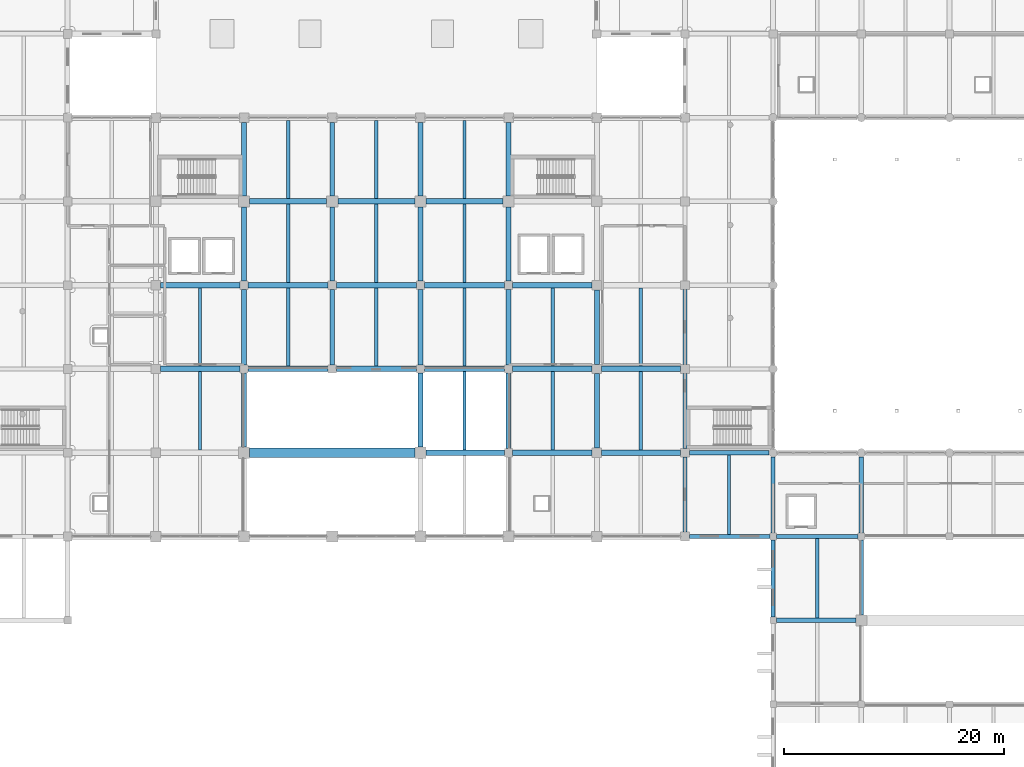
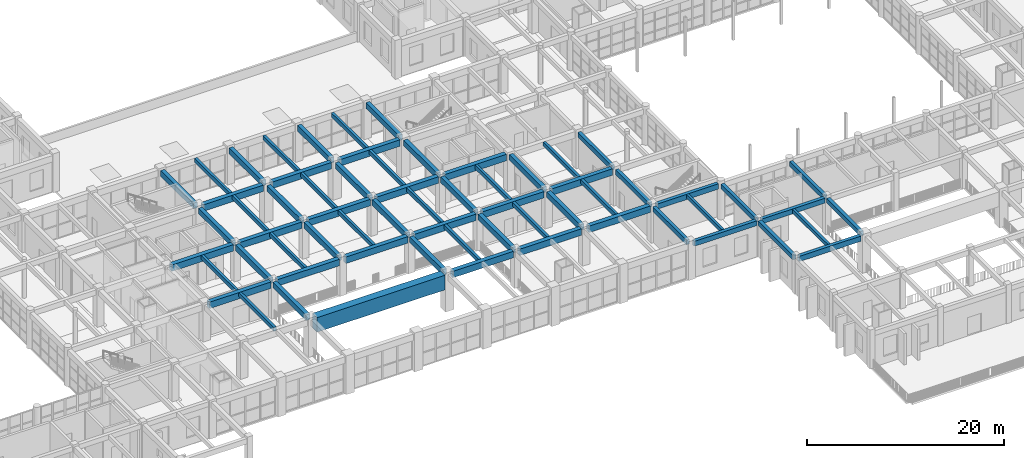
# One storey, part 26 of 101: 64 beams.
"""IFC4 building model written with IfcOpenShell, lengths in metres."""

from ifc_helpers import new_model, si_unit, direction, frame, origin, origin_2d, place, context, subcontext, project, spatial, rectangle, extrude, material, material_profile, profile_set, type_object, element, save


model = new_model("IFC4")

# Units and contexts
model_context = context("Model", 3, precision=1e-05, world=origin(), true_north=direction((0.0, 1.0)))
body_context = subcontext(model_context, "Body", "Model", "MODEL_VIEW")
ifc_project = project(units=[si_unit("LENGTHUNIT", "METRE"), si_unit("AREAUNIT", "SQUARE_METRE"), si_unit("VOLUMEUNIT", "CUBIC_METRE"), si_unit("PLANEANGLEUNIT", "RADIAN"), si_unit("MASSUNIT", "GRAM", prefix="KILO")], contexts=[model_context])

# Site, building, storey
site_placement = place(None, origin())
site = spatial("IfcSite", under=ifc_project, at=site_placement, CompositionType="ELEMENT")
building_placement = place(site_placement, origin())
building = spatial("IfcBuilding", under=site, at=building_placement, Name="Zantavel Square City Hall", CompositionType="ELEMENT")
storey_placement = place(building_placement, frame((0.0, 0.0, 5.39990234375)))
storey = spatial("IfcBuildingStorey", under=building, at=storey_placement, Name="L02", CompositionType="ELEMENT", Elevation=5.39990234375)

# Beams
ifc_material_1 = material(Name="Concrete C35/45", Category="concrete")
ifc_material_profile_1 = material_profile(ifc_material_1, rectangle(XDim=0.3798828125, YDim=0.580078125, at=origin_2d()), Name="RC 380x580")
ifc_profile_set_1 = profile_set([ifc_material_profile_1], Name="Concrete C35/45")
beam_type_1 = type_object("IfcBeamType", Name="Annex Secondary Beam RC 380x580 C35/45", PredefinedType="BEAM", material=ifc_profile_set_1)
for number, where, z_axis, x_axis, name in (
    (1, (112.0, 30.800048828125, 4.16015625), (0.0, 1.0, 0.0), (-1.0, 0.0, 0.0), "L02 Beam BMY-L02-1120-0304"),
    (2, (112.0, 38.39990234375, 4.16015625), (0.0, 1.0, 0.0), (-1.0, 0.0, 0.0), "L02 Beam BMY-L02-1120-0380"),
    (3, (112.0, 46.0, 4.16015625), (0.0, 1.0, 0.0), (-1.0, 0.0, 0.0), "L02 Beam BMY-L02-1120-0456"),
):
    element("IfcBeam", number, at=place(storey_placement, frame(where, z_axis=z_axis, x_axis=x_axis)), inside=storey, type_object=beam_type_1, Name=name, PredefinedType="BEAM", context=body_context, shape_type="SweptSolid", body=[
        extrude(rectangle(XDim=0.3798828125, YDim=0.580078125, at=origin_2d()), origin(), (0.0, 0.0, 1.0), 6.800048828125),
    ])
beam_1_placement = place(storey_placement, frame((120.0, 23.10009765625, 4.16015625), z_axis=(0.0, 1.0, 0.0), x_axis=(-1.0, 0.0, 0.0)))
element("IfcBeam", 4, at=beam_1_placement, inside=storey, type_object=beam_type_1, Name="L02 Beam BMY-L02-1200-0228", PredefinedType="BEAM", context=body_context, shape_type="SweptSolid", body=[
    extrude(rectangle(XDim=0.3798828125, YDim=0.580078125, at=origin_2d()), origin(), (0.0, 0.0, 1.0), 7.0),
])
beam_2_placement = place(storey_placement, frame((120.0, 30.699951171875, 4.16015625), z_axis=(0.0, 1.0, 0.0), x_axis=(-1.0, 0.0, 0.0)))
element("IfcBeam", 5, at=beam_2_placement, inside=storey, type_object=beam_type_1, Name="L02 Beam BMY-L02-1200-0304", PredefinedType="BEAM", context=body_context, shape_type="SweptSolid", body=[
    extrude(rectangle(XDim=0.3798828125, YDim=0.580078125, at=origin_2d()), origin(), (0.0, 0.0, 1.0), 6.925048828125),
])
beam_3_placement = place(storey_placement, frame((128.0, 23.300048828125, 4.16015625), z_axis=(0.0, 1.0, 0.0), x_axis=(-1.0, 0.0, 0.0)))
element("IfcBeam", 6, at=beam_3_placement, inside=storey, type_object=beam_type_1, Name="L02 Beam BMY-L02-1280-0228", PredefinedType="BEAM", context=body_context, shape_type="SweptSolid", body=[
    extrude(rectangle(XDim=0.3798828125, YDim=0.580078125, at=origin_2d()), origin(), (0.0, 0.0, 1.0), 6.800048828125),
])
beam_4_placement = place(storey_placement, frame((128.0, 30.699951171875, 4.16015625), z_axis=(0.0, 1.0, 0.0), x_axis=(-1.0, 0.0, 0.0)))
element("IfcBeam", 7, at=beam_4_placement, inside=storey, type_object=beam_type_1, Name="L02 Beam BMY-L02-1280-0304", PredefinedType="BEAM", context=body_context, shape_type="SweptSolid", body=[
    extrude(rectangle(XDim=0.3798828125, YDim=0.580078125, at=origin_2d()), origin(), (0.0, 0.0, 1.0), 6.925048828125),
])
ifc_material_profile_2 = material_profile(ifc_material_1, rectangle(XDim=0.300048828125, YDim=0.5, at=origin_2d()), Name="RC 300x500")
ifc_profile_set_2 = profile_set([ifc_material_profile_2], Name="Concrete C35/45")
beam_type_2 = type_object("IfcBeamType", Name="Floor Joist RC 300x500 C35/45", PredefinedType="JOIST", material=ifc_profile_set_2)
beam_5_placement = place(storey_placement, frame((68.0, 38.25, 4.2900390625), z_axis=(0.0, 1.0, 0.0), x_axis=(-1.0, 0.0, 0.0)))
element("IfcBeam", 8, at=beam_5_placement, inside=storey, type_object=beam_type_2, Name="L02 Floor Joist JST-L02-0680-0380", PredefinedType="JOIST", context=body_context, shape_type="SweptSolid", body=[
    extrude(rectangle(XDim=0.300048828125, YDim=0.5, at=origin_2d()), origin(), (0.0, 0.0, 1.0), 7.10009765625),
])
for number, where, z_axis, x_axis, name in (
    (9, (68.0, 45.85009765625, 4.2900390625), (0.0, 1.0, 0.0), (-1.0, 0.0, 0.0), "L02 Floor Joist JST-L02-0680-0456"),
    (10, (76.0, 45.85009765625, 4.2900390625), (0.0, 1.0, 0.0), (-1.0, 0.0, 0.0), "L02 Floor Joist JST-L02-0760-0456"),
):
    element("IfcBeam", number, at=place(storey_placement, frame(where, z_axis=z_axis, x_axis=x_axis)), inside=storey, type_object=beam_type_2, Name=name, PredefinedType="JOIST", context=body_context, shape_type="SweptSolid", body=[
        extrude(rectangle(XDim=0.300048828125, YDim=0.5, at=origin_2d()), origin(), (0.0, 0.0, 1.0), 7.099853515625),
    ])
beam_6_placement = place(storey_placement, frame((76.0, 53.449951171875, 4.2900390625), z_axis=(0.0, 1.0, 0.0), x_axis=(-1.0, 0.0, 0.0)))
element("IfcBeam", 11, at=beam_6_placement, inside=storey, type_object=beam_type_2, Name="L02 Floor Joist JST-L02-0760-0532", PredefinedType="JOIST", context=body_context, shape_type="SweptSolid", body=[
    extrude(rectangle(XDim=0.300048828125, YDim=0.5, at=origin_2d()), origin(), (0.0, 0.0, 1.0), 7.10009765625),
])
for number, where, z_axis, x_axis, name in (
    (12, (76.0, 61.050048828125, 4.2900390625), (0.0, 1.0, 0.0), (-1.0, 0.0, 0.0), "L02 Floor Joist JST-L02-0760-0608"),
    (13, (84.0, 45.85009765625, 4.2900390625), (0.0, 1.0, 0.0), (-1.0, 0.0, 0.0), "L02 Floor Joist JST-L02-0840-0456"),
):
    element("IfcBeam", number, at=place(storey_placement, frame(where, z_axis=z_axis, x_axis=x_axis)), inside=storey, type_object=beam_type_2, Name=name, PredefinedType="JOIST", context=body_context, shape_type="SweptSolid", body=[
        extrude(rectangle(XDim=0.300048828125, YDim=0.5, at=origin_2d()), origin(), (0.0, 0.0, 1.0), 7.099853515625),
    ])
beam_7_placement = place(storey_placement, frame((84.0, 53.449951171875, 4.2900390625), z_axis=(0.0, 1.0, 0.0), x_axis=(-1.0, 0.0, 0.0)))
element("IfcBeam", 14, at=beam_7_placement, inside=storey, type_object=beam_type_2, Name="L02 Floor Joist JST-L02-0840-0532", PredefinedType="JOIST", context=body_context, shape_type="SweptSolid", body=[
    extrude(rectangle(XDim=0.300048828125, YDim=0.5, at=origin_2d()), origin(), (0.0, 0.0, 1.0), 7.10009765625),
])
beam_8_placement = place(storey_placement, frame((84.0, 61.050048828125, 4.2900390625), z_axis=(0.0, 1.0, 0.0), x_axis=(-1.0, 0.0, 0.0)))
element("IfcBeam", 15, at=beam_8_placement, inside=storey, type_object=beam_type_2, Name="L02 Floor Joist JST-L02-0840-0608", PredefinedType="JOIST", context=body_context, shape_type="SweptSolid", body=[
    extrude(rectangle(XDim=0.300048828125, YDim=0.5, at=origin_2d()), origin(), (0.0, 0.0, 1.0), 7.099853515625),
])
beam_9_placement = place(storey_placement, frame((92.0, 38.25, 4.2900390625), z_axis=(0.0, 1.0, 0.0), x_axis=(-1.0, 0.0, 0.0)))
element("IfcBeam", 16, at=beam_9_placement, inside=storey, type_object=beam_type_2, Name="L02 Floor Joist JST-L02-0920-0380", PredefinedType="JOIST", context=body_context, shape_type="SweptSolid", body=[
    extrude(rectangle(XDim=0.300048828125, YDim=0.5, at=origin_2d()), origin(), (0.0, 0.0, 1.0), 7.10009765625),
])
beam_10_placement = place(storey_placement, frame((92.0, 45.85009765625, 4.2900390625), z_axis=(0.0, 1.0, 0.0), x_axis=(-1.0, 0.0, 0.0)))
element("IfcBeam", 17, at=beam_10_placement, inside=storey, type_object=beam_type_2, Name="L02 Floor Joist JST-L02-0920-0456", PredefinedType="JOIST", context=body_context, shape_type="SweptSolid", body=[
    extrude(rectangle(XDim=0.300048828125, YDim=0.5, at=origin_2d()), origin(), (0.0, 0.0, 1.0), 7.099853515625),
])
beam_11_placement = place(storey_placement, frame((92.0, 53.449951171875, 4.2900390625), z_axis=(0.0, 1.0, 0.0), x_axis=(-1.0, 0.0, 0.0)))
element("IfcBeam", 18, at=beam_11_placement, inside=storey, type_object=beam_type_2, Name="L02 Floor Joist JST-L02-0920-0532", PredefinedType="JOIST", context=body_context, shape_type="SweptSolid", body=[
    extrude(rectangle(XDim=0.300048828125, YDim=0.5, at=origin_2d()), origin(), (0.0, 0.0, 1.0), 7.10009765625),
])
beam_12_placement = place(storey_placement, frame((92.0, 61.050048828125, 4.2900390625), z_axis=(0.0, 1.0, 0.0), x_axis=(-1.0, 0.0, 0.0)))
element("IfcBeam", 19, at=beam_12_placement, inside=storey, type_object=beam_type_2, Name="L02 Floor Joist JST-L02-0920-0608", PredefinedType="JOIST", context=body_context, shape_type="SweptSolid", body=[
    extrude(rectangle(XDim=0.300048828125, YDim=0.5, at=origin_2d()), origin(), (0.0, 0.0, 1.0), 7.099853515625),
])
beam_13_placement = place(storey_placement, frame((100.0, 38.25, 4.2900390625), z_axis=(0.0, 1.0, 0.0), x_axis=(-1.0, 0.0, 0.0)))
element("IfcBeam", 20, at=beam_13_placement, inside=storey, type_object=beam_type_2, Name="L02 Floor Joist JST-L02-1000-0380", PredefinedType="JOIST", context=body_context, shape_type="SweptSolid", body=[
    extrude(rectangle(XDim=0.300048828125, YDim=0.5, at=origin_2d()), origin(), (0.0, 0.0, 1.0), 7.10009765625),
])
beam_14_placement = place(storey_placement, frame((100.0, 45.85009765625, 4.2900390625), z_axis=(0.0, 1.0, 0.0), x_axis=(-1.0, 0.0, 0.0)))
element("IfcBeam", 21, at=beam_14_placement, inside=storey, type_object=beam_type_2, Name="L02 Floor Joist JST-L02-1000-0456", PredefinedType="JOIST", context=body_context, shape_type="SweptSolid", body=[
    extrude(rectangle(XDim=0.300048828125, YDim=0.5, at=origin_2d()), origin(), (0.0, 0.0, 1.0), 7.099853515625),
])
beam_15_placement = place(storey_placement, frame((108.0, 38.25, 4.2900390625), z_axis=(0.0, 1.0, 0.0), x_axis=(-1.0, 0.0, 0.0)))
element("IfcBeam", 22, at=beam_15_placement, inside=storey, type_object=beam_type_2, Name="L02 Floor Joist JST-L02-1080-0380", PredefinedType="JOIST", context=body_context, shape_type="SweptSolid", body=[
    extrude(rectangle(XDim=0.300048828125, YDim=0.5, at=origin_2d()), origin(), (0.0, 0.0, 1.0), 7.10009765625),
])
beam_16_placement = place(storey_placement, frame((108.0, 45.85009765625, 4.2900390625), z_axis=(0.0, 1.0, 0.0), x_axis=(-1.0, 0.0, 0.0)))
element("IfcBeam", 23, at=beam_16_placement, inside=storey, type_object=beam_type_2, Name="L02 Floor Joist JST-L02-1080-0456", PredefinedType="JOIST", context=body_context, shape_type="SweptSolid", body=[
    extrude(rectangle(XDim=0.300048828125, YDim=0.5, at=origin_2d()), origin(), (0.0, 0.0, 1.0), 7.099853515625),
])
ifc_material_profile_3 = material_profile(ifc_material_1, rectangle(XDim=0.39990234375, YDim=0.64990234375, at=origin_2d()), Name="RC 400x650")
ifc_profile_set_3 = profile_set([ifc_material_profile_3], Name="Concrete C35/45")
beam_type_3 = type_object("IfcBeamType", Name="Frame Beam RC 400x650 C35/45", PredefinedType="BEAM", material=ifc_profile_set_3)
beam_17_placement = place(storey_placement, frame((112.39990234375, 38.0, 4.125), z_axis=(1.0, 0.0, 0.0), x_axis=(0.0, 1.0, 0.0)))
element("IfcBeam", 24, at=beam_17_placement, inside=storey, type_object=beam_type_3, Name="L02 Girder BMX-L02-1120-0380", PredefinedType="BEAM", context=body_context, shape_type="SweptSolid", body=[
    extrude(rectangle(XDim=0.39990234375, YDim=0.64990234375, at=origin_2d()), origin(), (0.0, 0.0, 1.0), 7.22509765625),
])
beam_18_placement = place(storey_placement, frame((120.300048828125, 22.800048828125, 4.125), z_axis=(1.0, 0.0, 0.0), x_axis=(0.0, 1.0, 0.0)))
element("IfcBeam", 25, at=beam_18_placement, inside=storey, type_object=beam_type_3, Name="L02 Girder BMX-L02-1200-0228", PredefinedType="BEAM", context=body_context, shape_type="SweptSolid", body=[
    extrude(rectangle(XDim=0.39990234375, YDim=0.64990234375, at=origin_2d()), origin(), (0.0, 0.0, 1.0), 7.199951171875),
])
ifc_material_profile_4 = material_profile(ifc_material_1, rectangle(XDim=0.39990234375, YDim=0.60009765625, at=origin_2d()), Name="RC 400x600")
ifc_profile_set_4 = profile_set([ifc_material_profile_4], Name="Concrete C35/45")
beam_type_4 = type_object("IfcBeamType", Name="Perimeter Spandrel RC 400x600 C35/45", PredefinedType="SPANDREL", material=ifc_profile_set_4)
beam_19_placement = place(storey_placement, frame((112.39990234375, 30.39990234375, 4.150146484375), z_axis=(1.0, 0.0, 0.0), x_axis=(0.0, 1.0, 0.0)))
element("IfcBeam", 26, at=beam_19_placement, inside=storey, type_object=beam_type_4, Name="L02 Girder BMX-L02-1120-0304", PredefinedType="SPANDREL", context=body_context, shape_type="SweptSolid", body=[
    extrude(rectangle(XDim=0.39990234375, YDim=0.60009765625, at=origin_2d()), origin(), (0.0, 0.0, 1.0), 7.300048828125),
])
beam_20_placement = place(storey_placement, frame((120.300048828125, 30.39990234375, 4.150146484375), z_axis=(1.0, 0.0, 0.0), x_axis=(0.0, 1.0, 0.0)))
element("IfcBeam", 27, at=beam_20_placement, inside=storey, type_object=beam_type_4, Name="L02 Girder BMX-L02-1200-0304", PredefinedType="SPANDREL", context=body_context, shape_type="SweptSolid", body=[
    extrude(rectangle(XDim=0.39990234375, YDim=0.60009765625, at=origin_2d()), origin(), (0.0, 0.0, 1.0), 7.39990234375),
])
ifc_material_profile_5 = material_profile(ifc_material_1, rectangle(XDim=0.449951171875, YDim=0.699951171875, at=origin_2d()), Name="RC 450x700")
ifc_profile_set_5 = profile_set([ifc_material_profile_5], Name="Concrete C35/45")
beam_type_5 = type_object("IfcBeamType", Name="Primary Girder RC 450x700 C35/45", PredefinedType="BEAM", material=ifc_profile_set_5)
beam_21_placement = place(storey_placement, frame((72.0, 38.5, 4.190185546875), z_axis=(0.0, 1.0, 0.0), x_axis=(-1.0, 0.0, 0.0)))
element("IfcBeam", 28, at=beam_21_placement, inside=storey, type_object=beam_type_5, Name="L02 Beam BMY-L02-0720-0380", PredefinedType="BEAM", context=body_context, shape_type="SweptSolid", body=[
    extrude(rectangle(XDim=0.449951171875, YDim=0.699951171875, at=origin_2d()), origin(), (0.0, 0.0, 1.0), 6.72509765625),
])
beam_22_placement = place(storey_placement, frame((72.0, 45.97509765625, 4.190185546875), z_axis=(0.0, 1.0, 0.0), x_axis=(-1.0, 0.0, 0.0)))
element("IfcBeam", 29, at=beam_22_placement, inside=storey, type_object=beam_type_5, Name="L02 Beam BMY-L02-0720-0456", PredefinedType="BEAM", context=body_context, shape_type="SweptSolid", body=[
    extrude(rectangle(XDim=0.449951171875, YDim=0.699951171875, at=origin_2d()), origin(), (0.0, 0.0, 1.0), 6.849853515625),
])
beam_23_placement = place(storey_placement, frame((72.0, 53.574951171875, 4.190185546875), z_axis=(0.0, 1.0, 0.0), x_axis=(-1.0, 0.0, 0.0)))
element("IfcBeam", 30, at=beam_23_placement, inside=storey, type_object=beam_type_5, Name="L02 Beam BMY-L02-0720-0532", PredefinedType="BEAM", context=body_context, shape_type="SweptSolid", body=[
    extrude(rectangle(XDim=0.449951171875, YDim=0.699951171875, at=origin_2d()), origin(), (0.0, 0.0, 1.0), 6.72509765625),
])
beam_24_placement = place(storey_placement, frame((72.0, 61.300048828125, 4.190185546875), z_axis=(0.0, 1.0, 0.0), x_axis=(-1.0, 0.0, 0.0)))
element("IfcBeam", 31, at=beam_24_placement, inside=storey, type_object=beam_type_5, Name="L02 Beam BMY-L02-0720-0608", PredefinedType="BEAM", context=body_context, shape_type="SweptSolid", body=[
    extrude(rectangle(XDim=0.449951171875, YDim=0.699951171875, at=origin_2d()), origin(), (0.0, 0.0, 1.0), 6.675048828125),
])
beam_25_placement = place(storey_placement, frame((80.0, 45.97509765625, 4.190185546875), z_axis=(0.0, 1.0, 0.0), x_axis=(-1.0, 0.0, 0.0)))
element("IfcBeam", 32, at=beam_25_placement, inside=storey, type_object=beam_type_5, Name="L02 Beam BMY-L02-0800-0456", PredefinedType="BEAM", context=body_context, shape_type="SweptSolid", body=[
    extrude(rectangle(XDim=0.449951171875, YDim=0.699951171875, at=origin_2d()), origin(), (0.0, 0.0, 1.0), 6.849853515625),
])
beam_26_placement = place(storey_placement, frame((80.0, 53.574951171875, 4.190185546875), z_axis=(0.0, 1.0, 0.0), x_axis=(-1.0, 0.0, 0.0)))
element("IfcBeam", 33, at=beam_26_placement, inside=storey, type_object=beam_type_5, Name="L02 Beam BMY-L02-0800-0532", PredefinedType="BEAM", context=body_context, shape_type="SweptSolid", body=[
    extrude(rectangle(XDim=0.449951171875, YDim=0.699951171875, at=origin_2d()), origin(), (0.0, 0.0, 1.0), 6.72509765625),
])
beam_27_placement = place(storey_placement, frame((80.0, 61.300048828125, 4.190185546875), z_axis=(0.0, 1.0, 0.0), x_axis=(-1.0, 0.0, 0.0)))
element("IfcBeam", 34, at=beam_27_placement, inside=storey, type_object=beam_type_5, Name="L02 Beam BMY-L02-0800-0608", PredefinedType="BEAM", context=body_context, shape_type="SweptSolid", body=[
    extrude(rectangle(XDim=0.449951171875, YDim=0.699951171875, at=origin_2d()), origin(), (0.0, 0.0, 1.0), 6.675048828125),
])
beam_28_placement = place(storey_placement, frame((88.0, 38.5, 4.190185546875), z_axis=(0.0, 1.0, 0.0), x_axis=(-1.0, 0.0, 0.0)))
element("IfcBeam", 35, at=beam_28_placement, inside=storey, type_object=beam_type_5, Name="L02 Beam BMY-L02-0880-0380", PredefinedType="BEAM", context=body_context, shape_type="SweptSolid", body=[
    extrude(rectangle(XDim=0.449951171875, YDim=0.699951171875, at=origin_2d()), origin(), (0.0, 0.0, 1.0), 6.72509765625),
])
beam_29_placement = place(storey_placement, frame((88.0, 45.97509765625, 4.190185546875), z_axis=(0.0, 1.0, 0.0), x_axis=(-1.0, 0.0, 0.0)))
element("IfcBeam", 36, at=beam_29_placement, inside=storey, type_object=beam_type_5, Name="L02 Beam BMY-L02-0880-0456", PredefinedType="BEAM", context=body_context, shape_type="SweptSolid", body=[
    extrude(rectangle(XDim=0.449951171875, YDim=0.699951171875, at=origin_2d()), origin(), (0.0, 0.0, 1.0), 6.849853515625),
])
beam_30_placement = place(storey_placement, frame((88.0, 53.574951171875, 4.190185546875), z_axis=(0.0, 1.0, 0.0), x_axis=(-1.0, 0.0, 0.0)))
element("IfcBeam", 37, at=beam_30_placement, inside=storey, type_object=beam_type_5, Name="L02 Beam BMY-L02-0880-0532", PredefinedType="BEAM", context=body_context, shape_type="SweptSolid", body=[
    extrude(rectangle(XDim=0.449951171875, YDim=0.699951171875, at=origin_2d()), origin(), (0.0, 0.0, 1.0), 6.72509765625),
])
beam_31_placement = place(storey_placement, frame((88.0, 61.300048828125, 4.190185546875), z_axis=(0.0, 1.0, 0.0), x_axis=(-1.0, 0.0, 0.0)))
element("IfcBeam", 38, at=beam_31_placement, inside=storey, type_object=beam_type_5, Name="L02 Beam BMY-L02-0880-0608", PredefinedType="BEAM", context=body_context, shape_type="SweptSolid", body=[
    extrude(rectangle(XDim=0.449951171875, YDim=0.699951171875, at=origin_2d()), origin(), (0.0, 0.0, 1.0), 6.675048828125),
])
beam_32_placement = place(storey_placement, frame((96.0, 38.375, 4.190185546875), z_axis=(0.0, 1.0, 0.0), x_axis=(-1.0, 0.0, 0.0)))
element("IfcBeam", 39, at=beam_32_placement, inside=storey, type_object=beam_type_5, Name="L02 Beam BMY-L02-0960-0380", PredefinedType="BEAM", context=body_context, shape_type="SweptSolid", body=[
    extrude(rectangle(XDim=0.449951171875, YDim=0.699951171875, at=origin_2d()), origin(), (0.0, 0.0, 1.0), 6.85009765625),
])
beam_33_placement = place(storey_placement, frame((96.0, 45.97509765625, 4.190185546875), z_axis=(0.0, 1.0, 0.0), x_axis=(-1.0, 0.0, 0.0)))
element("IfcBeam", 40, at=beam_33_placement, inside=storey, type_object=beam_type_5, Name="L02 Beam BMY-L02-0960-0456", PredefinedType="BEAM", context=body_context, shape_type="SweptSolid", body=[
    extrude(rectangle(XDim=0.449951171875, YDim=0.699951171875, at=origin_2d()), origin(), (0.0, 0.0, 1.0), 6.849853515625),
])
beam_34_placement = place(storey_placement, frame((96.0, 53.574951171875, 4.190185546875), z_axis=(0.0, 1.0, 0.0), x_axis=(-1.0, 0.0, 0.0)))
element("IfcBeam", 41, at=beam_34_placement, inside=storey, type_object=beam_type_5, Name="L02 Beam BMY-L02-0960-0532", PredefinedType="BEAM", context=body_context, shape_type="SweptSolid", body=[
    extrude(rectangle(XDim=0.449951171875, YDim=0.699951171875, at=origin_2d()), origin(), (0.0, 0.0, 1.0), 6.72509765625),
])
beam_35_placement = place(storey_placement, frame((96.0, 61.300048828125, 4.190185546875), z_axis=(0.0, 1.0, 0.0), x_axis=(-1.0, 0.0, 0.0)))
element("IfcBeam", 42, at=beam_35_placement, inside=storey, type_object=beam_type_5, Name="L02 Beam BMY-L02-0960-0608", PredefinedType="BEAM", context=body_context, shape_type="SweptSolid", body=[
    extrude(rectangle(XDim=0.449951171875, YDim=0.699951171875, at=origin_2d()), origin(), (0.0, 0.0, 1.0), 6.675048828125),
])
for number, where, z_axis, x_axis, name in (
    (43, (104.0, 38.425048828125, 4.190185546875), (0.0, 1.0, 0.0), (-1.0, 0.0, 0.0), "L02 Beam BMY-L02-1040-0380"),
    (44, (104.0, 46.02490234375, 4.190185546875), (0.0, 1.0, 0.0), (-1.0, 0.0, 0.0), "L02 Beam BMY-L02-1040-0456"),
):
    element("IfcBeam", number, at=place(storey_placement, frame(where, z_axis=z_axis, x_axis=x_axis)), inside=storey, type_object=beam_type_5, Name=name, PredefinedType="BEAM", context=body_context, shape_type="SweptSolid", body=[
        extrude(rectangle(XDim=0.449951171875, YDim=0.699951171875, at=origin_2d()), origin(), (0.0, 0.0, 1.0), 6.75),
    ])
ifc_material_profile_6 = material_profile(ifc_material_1, rectangle(XDim=0.5, YDim=0.800048828125, at=origin_2d()), Name="RC 500x800")
ifc_profile_set_6 = profile_set([ifc_material_profile_6], Name="Concrete C35/45")
beam_type_6 = type_object("IfcBeamType", Name="Primary Girder RC 500x800 C35/45", PredefinedType="BEAM", material=ifc_profile_set_6)
for number, where, z_axis, x_axis, name in (
    (45, (64.425048828125, 45.60009765625, 4.14013671875), (1.0, 0.0, 0.0), (0.0, 1.0, 0.0), "L02 Girder BMX-L02-0640-0456"),
    (46, (64.425048828125, 53.199951171875, 4.14013671875), (1.0, 0.0, 0.0), (0.0, 1.0, 0.0), "L02 Girder BMX-L02-0640-0532"),
):
    element("IfcBeam", number, at=place(storey_placement, frame(where, z_axis=z_axis, x_axis=x_axis)), inside=storey, type_object=beam_type_6, Name=name, PredefinedType="BEAM", context=body_context, shape_type="SweptSolid", body=[
        extrude(rectangle(XDim=0.5, YDim=0.800048828125, at=origin_2d()), origin(), (0.0, 0.0, 1.0), 7.199951171875),
    ])
for number, where, z_axis, x_axis, name in (
    (47, (72.375, 45.60009765625, 4.14013671875), (1.0, 0.0, 0.0), (0.0, 1.0, 0.0), "L02 Girder BMX-L02-0720-0456"),
    (48, (72.375, 53.199951171875, 4.14013671875), (1.0, 0.0, 0.0), (0.0, 1.0, 0.0), "L02 Girder BMX-L02-0720-0532"),
):
    element("IfcBeam", number, at=place(storey_placement, frame(where, z_axis=z_axis, x_axis=x_axis)), inside=storey, type_object=beam_type_6, Name=name, PredefinedType="BEAM", context=body_context, shape_type="SweptSolid", body=[
        extrude(rectangle(XDim=0.5, YDim=0.800048828125, at=origin_2d()), origin(), (0.0, 0.0, 1.0), 7.25),
    ])
beam_36_placement = place(storey_placement, frame((72.5, 60.800048828125, 4.14013671875), z_axis=(1.0, 0.0, 0.0), x_axis=(0.0, 1.0, 0.0)))
element("IfcBeam", 49, at=beam_36_placement, inside=storey, type_object=beam_type_6, Name="L02 Girder BMX-L02-0720-0608", PredefinedType="BEAM", context=body_context, shape_type="SweptSolid", body=[
    extrude(rectangle(XDim=0.5, YDim=0.800048828125, at=origin_2d()), origin(), (0.0, 0.0, 1.0), 7.0),
])
for number, where, z_axis, x_axis, name in (
    (50, (80.375, 45.60009765625, 4.14013671875), (1.0, 0.0, 0.0), (0.0, 1.0, 0.0), "L02 Girder BMX-L02-0800-0456"),
    (51, (80.375, 53.199951171875, 4.14013671875), (1.0, 0.0, 0.0), (0.0, 1.0, 0.0), "L02 Girder BMX-L02-0800-0532"),
):
    element("IfcBeam", number, at=place(storey_placement, frame(where, z_axis=z_axis, x_axis=x_axis)), inside=storey, type_object=beam_type_6, Name=name, PredefinedType="BEAM", context=body_context, shape_type="SweptSolid", body=[
        extrude(rectangle(XDim=0.5, YDim=0.800048828125, at=origin_2d()), origin(), (0.0, 0.0, 1.0), 7.25),
    ])
beam_37_placement = place(storey_placement, frame((80.5, 60.800048828125, 4.14013671875), z_axis=(1.0, 0.0, 0.0), x_axis=(0.0, 1.0, 0.0)))
element("IfcBeam", 52, at=beam_37_placement, inside=storey, type_object=beam_type_6, Name="L02 Girder BMX-L02-0800-0608", PredefinedType="BEAM", context=body_context, shape_type="SweptSolid", body=[
    extrude(rectangle(XDim=0.5, YDim=0.800048828125, at=origin_2d()), origin(), (0.0, 0.0, 1.0), 7.0),
])
beam_38_placement = place(storey_placement, frame((88.5, 38.0, 4.14013671875), z_axis=(1.0, 0.0, 0.0), x_axis=(0.0, 1.0, 0.0)))
element("IfcBeam", 53, at=beam_38_placement, inside=storey, type_object=beam_type_6, Name="L02 Girder BMX-L02-0880-0380", PredefinedType="BEAM", context=body_context, shape_type="SweptSolid", body=[
    extrude(rectangle(XDim=0.5, YDim=0.800048828125, at=origin_2d()), origin(), (0.0, 0.0, 1.0), 7.125),
])
for number, where, z_axis, x_axis, name in (
    (54, (88.375, 45.60009765625, 4.14013671875), (1.0, 0.0, 0.0), (0.0, 1.0, 0.0), "L02 Girder BMX-L02-0880-0456"),
    (55, (88.375, 53.199951171875, 4.14013671875), (1.0, 0.0, 0.0), (0.0, 1.0, 0.0), "L02 Girder BMX-L02-0880-0532"),
):
    element("IfcBeam", number, at=place(storey_placement, frame(where, z_axis=z_axis, x_axis=x_axis)), inside=storey, type_object=beam_type_6, Name=name, PredefinedType="BEAM", context=body_context, shape_type="SweptSolid", body=[
        extrude(rectangle(XDim=0.5, YDim=0.800048828125, at=origin_2d()), origin(), (0.0, 0.0, 1.0), 7.25),
    ])
beam_39_placement = place(storey_placement, frame((88.5, 60.800048828125, 4.14013671875), z_axis=(1.0, 0.0, 0.0), x_axis=(0.0, 1.0, 0.0)))
element("IfcBeam", 56, at=beam_39_placement, inside=storey, type_object=beam_type_6, Name="L02 Girder BMX-L02-0880-0608", PredefinedType="BEAM", context=body_context, shape_type="SweptSolid", body=[
    extrude(rectangle(XDim=0.5, YDim=0.800048828125, at=origin_2d()), origin(), (0.0, 0.0, 1.0), 7.0),
])
for number, where, z_axis, x_axis, name in (
    (57, (96.375, 38.0, 4.14013671875), (1.0, 0.0, 0.0), (0.0, 1.0, 0.0), "L02 Girder BMX-L02-0960-0380"),
    (58, (96.375, 45.60009765625, 4.14013671875), (1.0, 0.0, 0.0), (0.0, 1.0, 0.0), "L02 Girder BMX-L02-0960-0456"),
    (59, (96.375, 53.199951171875, 4.14013671875), (1.0, 0.0, 0.0), (0.0, 1.0, 0.0), "L02 Girder BMX-L02-0960-0532"),
):
    element("IfcBeam", number, at=place(storey_placement, frame(where, z_axis=z_axis, x_axis=x_axis)), inside=storey, type_object=beam_type_6, Name=name, PredefinedType="BEAM", context=body_context, shape_type="SweptSolid", body=[
        extrude(rectangle(XDim=0.5, YDim=0.800048828125, at=origin_2d()), origin(), (0.0, 0.0, 1.0), 7.199951171875),
    ])
for number, where, z_axis, x_axis, name in (
    (60, (104.425048828125, 38.0, 4.14013671875), (1.0, 0.0, 0.0), (0.0, 1.0, 0.0), "L02 Girder BMX-L02-1040-0380"),
    (61, (104.425048828125, 45.60009765625, 4.14013671875), (1.0, 0.0, 0.0), (0.0, 1.0, 0.0), "L02 Girder BMX-L02-1040-0456"),
):
    element("IfcBeam", number, at=place(storey_placement, frame(where, z_axis=z_axis, x_axis=x_axis)), inside=storey, type_object=beam_type_6, Name=name, PredefinedType="BEAM", context=body_context, shape_type="SweptSolid", body=[
        extrude(rectangle(XDim=0.5, YDim=0.800048828125, at=origin_2d()), origin(), (0.0, 0.0, 1.0), 7.175048828125),
    ])
ifc_material_profile_7 = material_profile(ifc_material_1, rectangle(XDim=0.280029296875, YDim=0.47998046875, at=origin_2d()), Name="RC 280x480")
ifc_profile_set_7 = profile_set([ifc_material_profile_7], Name="Concrete C35/45")
beam_type_7 = type_object("IfcBeamType", Name="Terrace Deck Joist RC 280x480 C35/45", PredefinedType="JOIST", material=ifc_profile_set_7)
for number, where, z_axis, x_axis, name in (
    (62, (116.0, 30.60009765625, 4.210205078125), (0.0, 1.0, 0.0), (-1.0, 0.0, 0.0), "L02 Floor Joist JST-L02-1160-0304"),
    (63, (124.0, 23.0, 4.210205078125), (0.0, 1.0, 0.0), (-1.0, 0.0, 0.0), "L02 Floor Joist JST-L02-1240-0228"),
):
    element("IfcBeam", number, at=place(storey_placement, frame(where, z_axis=z_axis, x_axis=x_axis)), inside=storey, type_object=beam_type_7, Name=name, PredefinedType="JOIST", context=body_context, shape_type="SweptSolid", body=[
        extrude(rectangle(XDim=0.280029296875, YDim=0.47998046875, at=origin_2d()), origin(), (0.0, 0.0, 1.0), 7.199951171875),
    ])
ifc_material_2 = material(Name="Concrete C40/50", Category="concrete")
ifc_material_profile_8 = material_profile(ifc_material_2, rectangle(XDim=0.89990234375, YDim=1.800048828125, at=origin_2d()), Name="RC 900x1800")
ifc_profile_set_8 = profile_set([ifc_material_profile_8], Name="Concrete C40/50")
beam_type_8 = type_object("IfcBeamType", Name="Transfer Girder RC 900x1800 C40/50", PredefinedType="BEAM", material=ifc_profile_set_8)
beam_40_placement = place(storey_placement, frame((72.5, 38.0, 3.64013671875), z_axis=(1.0, 0.0, 0.0), x_axis=(0.0, 1.0, 0.0)))
element("IfcBeam", 64, at=beam_40_placement, inside=storey, type_object=beam_type_8, Name="L02 Transfer Girder TG-VEST", PredefinedType="BEAM", context=body_context, shape_type="SweptSolid", body=[
    extrude(rectangle(XDim=0.89990234375, YDim=1.800048828125, at=origin_2d()), origin(), (0.0, 0.0, 1.0), 15.0),
])

save(model, "model.ifc")
